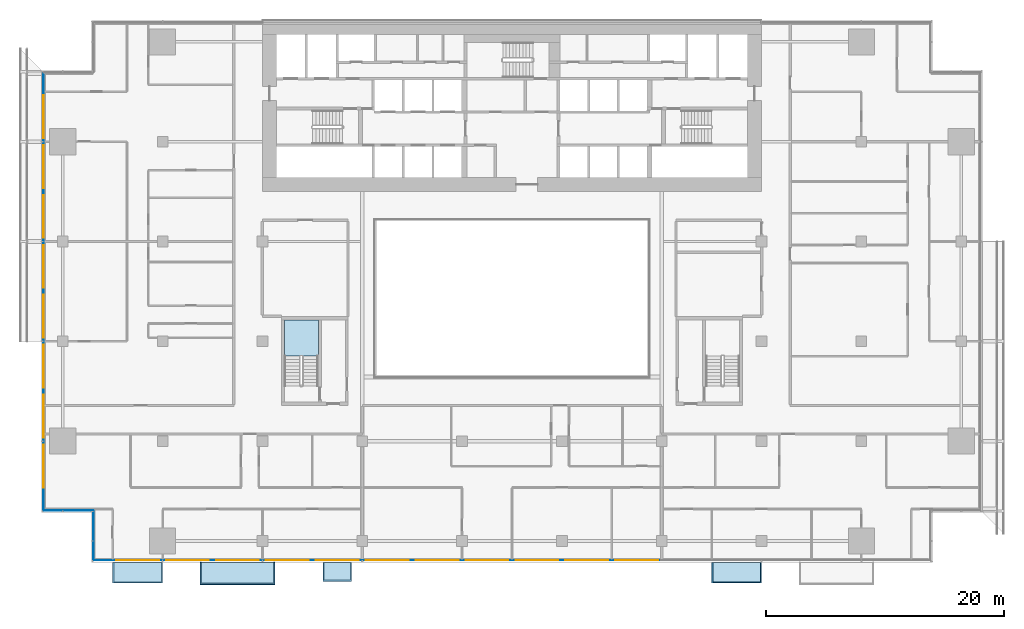
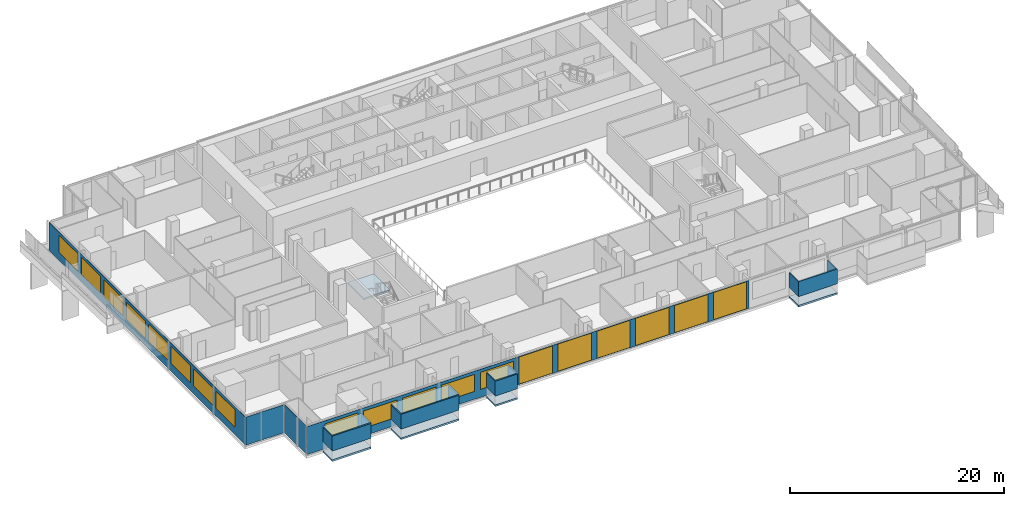
# One storey, part 15 of 28: 19 windows, 12 plates, 5 slabs, 19 openings, 5 elements without a shape of their own.
"""IFC4 building model written with IfcOpenShell, lengths in metres."""

import ifcopenshell
import ifcopenshell.guid

model = None  # the IFC model being written
_history = None  # IfcOwnerHistory: only IFC2X3 demands one
_inside = {}  # id of a spatial element -> (the spatial element, [elements in it])
_under = {}  # id of a project, library or spatial element -> (it, [spatial elements below it])
_declared = {}  # id of a project -> (the project, [libraries it declares])
_typed = {}  # id of a type object -> (the type object, [elements of that type])
_made_of = {}  # id of a material, layer set ... -> (it, [elements and type objects made of it])


def new_model(schema):
    """Start an empty IFC model of exactly this schema.

    Asked for "IFC4X3", IfcOpenShell would pick the latest addendum, in which some entities
    have other attributes; the version numbers below select the first issue.
    IFC2X3 requires an IfcOwnerHistory on every rooted entity: one is made here for all.
    """
    global model, _history
    if schema == "IFC4X3":
        model = ifcopenshell.file(schema_version=(4, 3, 0, 0))
    else:
        model = ifcopenshell.file(schema=schema)
    _inside.clear()
    _under.clear()
    _declared.clear()
    _typed.clear()
    _made_of.clear()
    _history = None
    if model.schema == "IFC2X3":
        org = make("IfcOrganization", Name="unknown")
        user = make(
            "IfcPersonAndOrganization",
            ThePerson=make("IfcPerson", FamilyName="unknown"),
            TheOrganization=org,
        )
        app = make(
            "IfcApplication",
            ApplicationDeveloper=org,
            Version="unknown",
            ApplicationFullName="unknown",
            ApplicationIdentifier="unknown",
        )
        _history = make(
            "IfcOwnerHistory",
            OwningUser=user,
            OwningApplication=app,
            ChangeAction="ADDED",
            CreationDate=0,
        )
    return model


def make(cls, **values):
    """One entity of the class cls with the attributes given. An attribute that is None is left unset."""
    return model.create_entity(
        cls, **{name: value for name, value in values.items() if value is not None}
    )


def rooted(cls, **values):
    """An entity with a GlobalId (a new one), such as an element, a storey or a relation."""
    return make(cls, GlobalId=ifcopenshell.guid.new(), OwnerHistory=_history, **values)


def si_unit(unit_type, name, prefix=None):
    """IfcSIUnit, for example si_unit("LENGTHUNIT", "METRE", prefix="MILLI")."""
    return make("IfcSIUnit", UnitType=unit_type, Prefix=prefix, Name=name)


def assignment(units):
    """IfcUnitAssignment: the units of a project."""
    return None if units is None else make("IfcUnitAssignment", Units=units)


def point(xyz):
    """IfcCartesianPoint."""
    return None if xyz is None else make("IfcCartesianPoint", Coordinates=xyz)


def direction(xyz):
    """IfcDirection."""
    return None if xyz is None else make("IfcDirection", DirectionRatios=xyz)


def frame(location, z_axis=None, x_axis=None):
    """IfcAxis2Placement3D, a coordinate frame: its origin and axes. An axis left out is left unset."""
    return make(
        "IfcAxis2Placement3D",
        Location=point(location),
        Axis=direction(z_axis),
        RefDirection=direction(x_axis),
    )


def frame_2d(location, x_axis=None):
    """IfcAxis2Placement2D, a coordinate frame in the plane: its origin and x axis."""
    return make(
        "IfcAxis2Placement2D", Location=point(location), RefDirection=direction(x_axis)
    )


def origin():
    """The frame at (0, 0, 0) with its axes left unset."""
    return frame((0.0, 0.0, 0.0))


def place(relative_to, where):
    """IfcLocalPlacement: puts the frame where relative to a parent placement (None: the world)."""
    return make(
        "IfcLocalPlacement", PlacementRelTo=relative_to, RelativePlacement=where
    )


def context(
    kind, dimensions, precision=None, world=None, true_north=None, identifier=None
):
    """IfcGeometricRepresentationContext, for example the 3D "Model" context."""
    return make(
        "IfcGeometricRepresentationContext",
        ContextIdentifier=identifier,
        ContextType=kind,
        CoordinateSpaceDimension=dimensions,
        Precision=precision,
        WorldCoordinateSystem=world,
        TrueNorth=true_north,
    )


def subcontext(parent, identifier, kind, view, scale=None):
    """IfcGeometricRepresentationSubContext, for example "Body" below "Model"."""
    return make(
        "IfcGeometricRepresentationSubContext",
        ContextIdentifier=identifier,
        ContextType=kind,
        ParentContext=parent,
        TargetScale=scale,
        TargetView=view,
    )


def project(units=None, contexts=None):
    """IfcProject with its units and contexts."""
    return rooted(
        "IfcProject",
        Name="project",
        RepresentationContexts=contexts,
        UnitsInContext=assignment(units),
    )


def spatial(cls, under=None, at=None, **own):
    """A site, building, storey or space (cls), placed at a placement, below another one or the project."""
    s = rooted(cls, ObjectPlacement=at, **own)
    if under is not None:
        _under.setdefault(under.id(), (under, []))[1].append(s)
    return s


def polyline(points):
    """IfcPolyline through the points."""
    return make("IfcPolyline", Points=[point(p) for p in points])


def profile(cls, at=None, kind="AREA", **sizes):
    """A parametric profile (cls). Its sizes go by their IFC names, for example OverallWidth=200.0."""
    return make(cls, ProfileType=kind, Position=at, **sizes)


def rectangle(**sizes):
    """IfcRectangleProfileDef."""
    return profile("IfcRectangleProfileDef", **sizes)


def outline(outer, holes=None, kind="AREA"):
    """IfcArbitraryClosedProfileDef: a profile drawn as a closed curve; with holes, ...WithVoids."""
    if holes is None:
        return make("IfcArbitraryClosedProfileDef", ProfileType=kind, OuterCurve=outer)
    return make(
        "IfcArbitraryProfileDefWithVoids",
        ProfileType=kind,
        OuterCurve=outer,
        InnerCurves=holes,
    )


def extrude(swept, where, along, depth):
    """IfcExtrudedAreaSolid: the profile swept, set in the frame where, extruded along a direction by depth."""
    return make(
        "IfcExtrudedAreaSolid",
        SweptArea=swept,
        Position=where,
        ExtrudedDirection=direction(along),
        Depth=depth,
    )


def shape(context_of_items, identifier, shape_type, items):
    """IfcShapeRepresentation: the items that make up one representation, for example the "Body"."""
    return make(
        "IfcShapeRepresentation",
        ContextOfItems=context_of_items,
        RepresentationIdentifier=identifier,
        RepresentationType=shape_type,
        Items=items,
    )


def material(Name=None, Category=None):
    """IfcMaterial."""
    return make("IfcMaterial", Name=Name, Category=Category)


def layer(
    of_material, thickness, ventilated=None, Name=None, Category=None, Priority=None
):
    """IfcMaterialLayer: one layer of a wall or slab, of a material (None: an air gap)."""
    return make(
        "IfcMaterialLayer",
        Material=of_material,
        LayerThickness=thickness,
        IsVentilated=ventilated,
        Name=Name,
        Category=Category,
        Priority=Priority,
    )


def layer_set(layers, Name=None):
    """IfcMaterialLayerSet."""
    return make("IfcMaterialLayerSet", MaterialLayers=layers, LayerSetName=Name)


def made_of(thing, what):
    """Note that an element or type object is made of a material, layer set ...; save() writes the relation."""
    if what is not None:
        _made_of.setdefault(what.id(), (what, []))[1].append(thing)
    return thing


def type_object(cls, material=None, **own):
    """A type object (cls), such as IfcWallType, which elements share."""
    return made_of(rooted(cls, **own), material)


def element(
    cls,
    number,
    at=None,
    inside=None,
    cuts=None,
    type_object=None,
    material=None,
    context=None,
    identifier="Body",
    shape_type=None,
    held_by="IfcProductDefinitionShape",
    body=None,
    shapes=None,
    **own,
):
    """One element of the class cls, such as IfcWall. Its Tag is "e" and its number.

    at: its placement. inside: the storey or other place that contains it. cuts: it is an
    opening in that element (IfcRelVoidsElement). A single representation is given by context,
    identifier, shape_type and body (its items); several are given by shapes. held_by: the class
    of the entity that holds the representations. save() writes the other relations.
    """
    e = rooted(cls, Tag="e%d" % number, ObjectPlacement=at, **own)
    if body is not None:
        shapes = [shape(context, identifier, shape_type, body)]
    if shapes is not None:
        e.Representation = make(held_by, Representations=shapes)
    if inside is not None:
        _inside.setdefault(inside.id(), (inside, []))[1].append(e)
    if cuts is not None:
        rooted(
            "IfcRelVoidsElement", RelatingBuildingElement=cuts, RelatedOpeningElement=e
        )
    if type_object is not None:
        _typed.setdefault(type_object.id(), (type_object, []))[1].append(e)
    return made_of(e, material)


def fill(opening, filler):
    """IfcRelFillsElement: the door or window that sits in an opening."""
    return rooted(
        "IfcRelFillsElement",
        RelatingOpeningElement=opening,
        RelatedBuildingElement=filler,
    )


def aggregate(whole, parts):
    """IfcRelAggregates: a whole, such as a stair, and the parts it consists of."""
    return rooted("IfcRelAggregates", RelatingObject=whole, RelatedObjects=parts)


def save(model, path):
    """Write the relations noted so far, then the file.

    IfcRelAggregates (storeys below a building ...), IfcRelContainedInSpatialStructure (elements
    in a storey), IfcRelDefinesByType, IfcRelAssociatesMaterial and IfcRelDeclares: one each for
    every whole, place, type object, material and project.
    """
    for whole, parts in _under.values():
        aggregate(whole, parts)
    for where, things in _inside.values():
        rooted(
            "IfcRelContainedInSpatialStructure",
            RelatedElements=things,
            RelatingStructure=where,
        )
    for kind, things in _typed.values():
        rooted("IfcRelDefinesByType", RelatedObjects=things, RelatingType=kind)
    for what, things in _made_of.values():
        rooted("IfcRelAssociatesMaterial", RelatedObjects=things, RelatingMaterial=what)
    for by, libraries in _declared.values():
        rooted("IfcRelDeclares", RelatingContext=by, RelatedDefinitions=libraries)
    model.write(path)


model = new_model("IFC4")

# Units and contexts
model_context = context("Model", 3, precision=1e-05, world=origin(), true_north=direction((0.0, 1.0)))
body_context = subcontext(model_context, "Body", "Model", "MODEL_VIEW")
ifc_project = project(units=[si_unit("LENGTHUNIT", "METRE"), si_unit("AREAUNIT", "SQUARE_METRE"), si_unit("VOLUMEUNIT", "CUBIC_METRE"), si_unit("PLANEANGLEUNIT", "RADIAN"), si_unit("MASSUNIT", "GRAM", prefix="KILO")], contexts=[model_context])

# Site, building, storey
site_placement = place(None, origin())
site = spatial("IfcSite", under=ifc_project, at=site_placement, CompositionType="ELEMENT")
building_placement = place(site_placement, origin())
building = spatial("IfcBuilding", under=site, at=building_placement, Name="Saffron Gate Tower", CompositionType="ELEMENT")
storey_placement = place(building_placement, frame((0.0, 0.0, 51.60009765625)))
storey = spatial("IfcBuildingStorey", under=building, at=storey_placement, Name="L11", CompositionType="ELEMENT", Elevation=51.60009765625)

# Curtain wall, plates, openings, windows
ifc_material_1 = material(Name="Aluminium, bronze anodised", Category="aluminium")
curtain_wall_type_1 = type_object("IfcCurtainWallType", Name="CWS1 curtain wall front facade", PredefinedType="NOTDEFINED", material=ifc_material_1)
curtain_wall_1_placement = place(storey_placement, origin())
curtain_wall_1 = element("IfcCurtainWall", 1, at=curtain_wall_1_placement, inside=storey, type_object=curtain_wall_type_1, Name="CWS1 run 1", PredefinedType="NOTDEFINED")
ifc_material_2 = material(Name="Clear low-iron laminated glass", Category="glass")
ifc_layer_1 = layer(ifc_material_2, 0.028076171875)
ifc_layer_set_1 = layer_set([ifc_layer_1], Name="CWS1 clear glass")
plate_type_1 = type_object("IfcPlateType", Name="CWS1 clear glass", PredefinedType="CURTAIN_PANEL", material=ifc_layer_set_1)
plate_1_placement = place(storey_placement, frame((75.030029296875, 30.174072265625, 0.0), z_axis=(0.0, 0.0, 1.0), x_axis=(1.0, 0.0, 0.0)))
plate_1 = element("IfcPlate", 2, at=plate_1_placement, type_object=plate_type_1, Name="CWS1 clear glass panel", PredefinedType="CURTAIN_PANEL", context=body_context, shape_type="SweptSolid", body=[
    extrude(rectangle(XDim=25.139892578125, YDim=0.028076171875, at=frame_2d((12.56982421875, 0.0))), origin(), (0.0, 0.0, 1.0), 3.199951171875),
])
opening_1_placement = place(plate_1_placement, frame((0.27001953125, 0.0, 0.050048828125)))
opening_1 = element("IfcOpeningElement", 3, at=opening_1_placement, cuts=plate_1, Name="Opening WA", PredefinedType="OPENING", context=body_context, shape_type="SweptSolid", body=[
    extrude(rectangle(XDim=3.60009765625, YDim=3.10009765625, at=frame_2d((1.800048828125, 1.550048828125))), frame((0.0, 0.02392578125, 0.0), z_axis=(0.0, -1.0, 0.0), x_axis=(1.0, 0.0, 0.0)), (0.0, 0.0, 1.0), 0.048095703125),
])
opening_2_placement = place(plate_1_placement, frame((4.469970703125, 0.0, 0.050048828125)))
opening_2 = element("IfcOpeningElement", 4, at=opening_2_placement, cuts=plate_1, Name="Opening WA", PredefinedType="OPENING", context=body_context, shape_type="SweptSolid", body=[
    extrude(rectangle(XDim=3.60009765625, YDim=3.10009765625, at=frame_2d((1.800048828125, 1.550048828125))), frame((0.0, 0.02392578125, 0.0), z_axis=(0.0, -1.0, 0.0), x_axis=(1.0, 0.0, 0.0)), (0.0, 0.0, 1.0), 0.048095703125),
])
opening_3_placement = place(plate_1_placement, frame((8.669921875, 0.0, 0.050048828125)))
opening_3 = element("IfcOpeningElement", 5, at=opening_3_placement, cuts=plate_1, Name="Opening WA", PredefinedType="OPENING", context=body_context, shape_type="SweptSolid", body=[
    extrude(rectangle(XDim=3.60009765625, YDim=3.10009765625, at=frame_2d((1.800048828125, 1.550048828125))), frame((0.0, 0.02392578125, 0.0), z_axis=(0.0, -1.0, 0.0), x_axis=(1.0, 0.0, 0.0)), (0.0, 0.0, 1.0), 0.048095703125),
])
opening_4_placement = place(plate_1_placement, frame((12.8701171875, 0.0, 0.050048828125)))
opening_4 = element("IfcOpeningElement", 6, at=opening_4_placement, cuts=plate_1, Name="Opening WA", PredefinedType="OPENING", context=body_context, shape_type="SweptSolid", body=[
    extrude(rectangle(XDim=3.60009765625, YDim=3.10009765625, at=frame_2d((1.800048828125, 1.550048828125))), frame((0.0, 0.02392578125, 0.0), z_axis=(0.0, -1.0, 0.0), x_axis=(1.0, 0.0, 0.0)), (0.0, 0.0, 1.0), 0.048095703125),
])
opening_5_placement = place(plate_1_placement, frame((17.070068359375, 0.0, 0.050048828125)))
opening_5 = element("IfcOpeningElement", 7, at=opening_5_placement, cuts=plate_1, Name="Opening WA", PredefinedType="OPENING", context=body_context, shape_type="SweptSolid", body=[
    extrude(rectangle(XDim=3.60009765625, YDim=3.10009765625, at=frame_2d((1.800048828125, 1.550048828125))), frame((0.0, 0.02392578125, 0.0), z_axis=(0.0, -1.0, 0.0), x_axis=(1.0, 0.0, 0.0)), (0.0, 0.0, 1.0), 0.048095703125),
])
opening_6_placement = place(plate_1_placement, frame((21.27001953125, 0.0, 0.050048828125)))
opening_6 = element("IfcOpeningElement", 8, at=opening_6_placement, cuts=plate_1, Name="Opening WA", PredefinedType="OPENING", context=body_context, shape_type="SweptSolid", body=[
    extrude(rectangle(XDim=3.60009765625, YDim=3.10009765625, at=frame_2d((1.800048828125, 1.550048828125))), frame((0.0, 0.02392578125, 0.0), z_axis=(0.0, -1.0, 0.0), x_axis=(1.0, 0.0, 0.0)), (0.0, 0.0, 1.0), 0.048095703125),
])
ifc_material_3 = material(Name="Clear low-iron laminated glass in bronze frame", Category="glass")
ifc_layer_2 = layer(ifc_material_3, 0.06005859375)
ifc_layer_set_2 = layer_set([ifc_layer_2], Name="WA operable atrium unit 3600x3100")
window_type_1 = type_object("IfcWindowType", Name="WA operable atrium unit 3600x3100", PartitioningType="DOUBLE_PANEL_HORIZONTAL", PredefinedType="WINDOW", material=ifc_layer_set_2)
window_1_placement = place(opening_1_placement, origin())
window_1 = element("IfcWindow", 9, at=window_1_placement, type_object=window_type_1, Name="WA operable atrium unit", OverallHeight=3.10009765625, OverallWidth=3.60009765625, PartitioningType="SINGLE_PANEL", PredefinedType="WINDOW", context=body_context, shape_type="SweptSolid", body=[
    extrude(rectangle(XDim=3.60009765625, YDim=3.10009765625, at=frame_2d((1.800048828125, 1.550048828125))), frame((0.0, 0.013671875, 0.0), z_axis=(0.0, -1.0, 0.0), x_axis=(1.0, 0.0, 0.0)), (0.0, 0.0, 1.0), 0.027587890625),
])
fill(opening_1, window_1)
window_2_placement = place(opening_2_placement, origin())
window_2 = element("IfcWindow", 10, at=window_2_placement, type_object=window_type_1, Name="WA operable atrium unit", OverallHeight=3.10009765625, OverallWidth=3.60009765625, PartitioningType="SINGLE_PANEL", PredefinedType="WINDOW", context=body_context, shape_type="SweptSolid", body=[
    extrude(rectangle(XDim=3.60009765625, YDim=3.10009765625, at=frame_2d((1.800048828125, 1.550048828125))), frame((0.0, 0.013671875, 0.0), z_axis=(0.0, -1.0, 0.0), x_axis=(1.0, 0.0, 0.0)), (0.0, 0.0, 1.0), 0.027587890625),
])
fill(opening_2, window_2)
window_3_placement = place(opening_3_placement, origin())
window_3 = element("IfcWindow", 11, at=window_3_placement, type_object=window_type_1, Name="WA operable atrium unit", OverallHeight=3.10009765625, OverallWidth=3.60009765625, PartitioningType="SINGLE_PANEL", PredefinedType="WINDOW", context=body_context, shape_type="SweptSolid", body=[
    extrude(rectangle(XDim=3.60009765625, YDim=3.10009765625, at=frame_2d((1.800048828125, 1.550048828125))), frame((0.0, 0.013671875, 0.0), z_axis=(0.0, -1.0, 0.0), x_axis=(1.0, 0.0, 0.0)), (0.0, 0.0, 1.0), 0.027587890625),
])
fill(opening_3, window_3)
window_4_placement = place(opening_4_placement, origin())
window_4 = element("IfcWindow", 12, at=window_4_placement, type_object=window_type_1, Name="WA operable atrium unit", OverallHeight=3.10009765625, OverallWidth=3.60009765625, PartitioningType="SINGLE_PANEL", PredefinedType="WINDOW", context=body_context, shape_type="SweptSolid", body=[
    extrude(rectangle(XDim=3.60009765625, YDim=3.10009765625, at=frame_2d((1.800048828125, 1.550048828125))), frame((0.0, 0.013671875, 0.0), z_axis=(0.0, -1.0, 0.0), x_axis=(1.0, 0.0, 0.0)), (0.0, 0.0, 1.0), 0.027587890625),
])
fill(opening_4, window_4)
window_5_placement = place(opening_5_placement, origin())
window_5 = element("IfcWindow", 13, at=window_5_placement, type_object=window_type_1, Name="WA operable atrium unit", OverallHeight=3.10009765625, OverallWidth=3.60009765625, PartitioningType="SINGLE_PANEL", PredefinedType="WINDOW", context=body_context, shape_type="SweptSolid", body=[
    extrude(rectangle(XDim=3.60009765625, YDim=3.10009765625, at=frame_2d((1.800048828125, 1.550048828125))), frame((0.0, 0.013671875, 0.0), z_axis=(0.0, -1.0, 0.0), x_axis=(1.0, 0.0, 0.0)), (0.0, 0.0, 1.0), 0.027587890625),
])
fill(opening_5, window_5)
window_6_placement = place(opening_6_placement, origin())
window_6 = element("IfcWindow", 14, at=window_6_placement, type_object=window_type_1, Name="WA operable atrium unit", OverallHeight=3.10009765625, OverallWidth=3.60009765625, PartitioningType="SINGLE_PANEL", PredefinedType="WINDOW", context=body_context, shape_type="SweptSolid", body=[
    extrude(rectangle(XDim=3.60009765625, YDim=3.10009765625, at=frame_2d((1.800048828125, 1.550048828125))), frame((0.0, 0.013671875, 0.0), z_axis=(0.0, -1.0, 0.0), x_axis=(1.0, 0.0, 0.0)), (0.0, 0.0, 1.0), 0.027587890625),
])
fill(opening_6, window_6)
ifc_material_4 = material(Name="Fritted bronze-tinted laminated glass", Category="glass")
ifc_layer_3 = layer(ifc_material_4, 0.028076171875)
ifc_layer_set_3 = layer_set([ifc_layer_3], Name="CWS1 fixed glass")
plate_type_2 = type_object("IfcPlateType", Name="CWS1 fixed glass", PredefinedType="CURTAIN_PANEL", material=ifc_layer_set_3)
plate_2_placement = place(storey_placement, frame((52.387939453125, 30.174072265625, 0.0), z_axis=(0.0, 0.0, 1.0), x_axis=(1.0, 0.0, 0.0)))
plate_2 = element("IfcPlate", 15, at=plate_2_placement, type_object=plate_type_2, Name="CWS1 glass panel", PredefinedType="CURTAIN_PANEL", context=body_context, shape_type="SweptSolid", body=[
    extrude(rectangle(XDim=22.64208984375, YDim=0.028076171875, at=frame_2d((11.321044921875, 0.0))), origin(), (0.0, 0.0, 1.0), 3.199951171875),
])
opening_7_placement = place(plate_2_placement, frame((1.912109375, 0.0, 0.89990234375)))
opening_7 = element("IfcOpeningElement", 16, at=opening_7_placement, cuts=plate_2, Name="Opening W1", PredefinedType="OPENING", context=body_context, shape_type="SweptSolid", body=[
    extrude(rectangle(XDim=3.60009765625, YDim=1.949951171875, at=frame_2d((1.800048828125, 0.97509765625))), frame((0.0, 0.02392578125, 0.0), z_axis=(0.0, -1.0, 0.0), x_axis=(1.0, 0.0, 0.0)), (0.0, 0.0, 1.0), 0.048095703125),
])
opening_8_placement = place(plate_2_placement, frame((6.112060546875, 0.0, 0.89990234375)))
opening_8 = element("IfcOpeningElement", 17, at=opening_8_placement, cuts=plate_2, Name="Opening W1", PredefinedType="OPENING", context=body_context, shape_type="SweptSolid", body=[
    extrude(rectangle(XDim=3.60009765625, YDim=1.949951171875, at=frame_2d((1.800048828125, 0.97509765625))), frame((0.0, 0.02392578125, 0.0), z_axis=(0.0, -1.0, 0.0), x_axis=(1.0, 0.0, 0.0)), (0.0, 0.0, 1.0), 0.048095703125),
])
opening_9_placement = place(plate_2_placement, frame((10.31201171875, 0.0, 0.89990234375)))
opening_9 = element("IfcOpeningElement", 18, at=opening_9_placement, cuts=plate_2, Name="Opening W1", PredefinedType="OPENING", context=body_context, shape_type="SweptSolid", body=[
    extrude(rectangle(XDim=3.60009765625, YDim=1.949951171875, at=frame_2d((1.800048828125, 0.97509765625))), frame((0.0, 0.02392578125, 0.0), z_axis=(0.0, -1.0, 0.0), x_axis=(1.0, 0.0, 0.0)), (0.0, 0.0, 1.0), 0.048095703125),
])
opening_10_placement = place(plate_2_placement, frame((14.511962890625, 0.0, 0.89990234375)))
opening_10 = element("IfcOpeningElement", 19, at=opening_10_placement, cuts=plate_2, Name="Opening W1", PredefinedType="OPENING", context=body_context, shape_type="SweptSolid", body=[
    extrude(rectangle(XDim=3.60009765625, YDim=1.949951171875, at=frame_2d((1.800048828125, 0.97509765625))), frame((0.0, 0.02392578125, 0.0), z_axis=(0.0, -1.0, 0.0), x_axis=(1.0, 0.0, 0.0)), (0.0, 0.0, 1.0), 0.048095703125),
])
opening_11_placement = place(plate_2_placement, frame((18.7119140625, 0.0, 0.89990234375)))
opening_11 = element("IfcOpeningElement", 20, at=opening_11_placement, cuts=plate_2, Name="Opening W1", PredefinedType="OPENING", context=body_context, shape_type="SweptSolid", body=[
    extrude(rectangle(XDim=3.60009765625, YDim=1.949951171875, at=frame_2d((1.800048828125, 0.97509765625))), frame((0.0, 0.02392578125, 0.0), z_axis=(0.0, -1.0, 0.0), x_axis=(1.0, 0.0, 0.0)), (0.0, 0.0, 1.0), 0.048095703125),
])
ifc_material_5 = material(Name="Fritted bronze-tinted laminated glass in bronze frame", Category="glass")
ifc_layer_4 = layer(ifc_material_5, 0.06005859375)
ifc_layer_set_4 = layer_set([ifc_layer_4], Name="W1 operable panel 3600x1950")
window_type_2 = type_object("IfcWindowType", Name="W1 operable panel 3600x1950", PartitioningType="DOUBLE_PANEL_HORIZONTAL", PredefinedType="WINDOW", material=ifc_layer_set_4)
window_7_placement = place(opening_7_placement, origin())
window_7 = element("IfcWindow", 21, at=window_7_placement, type_object=window_type_2, Name="W1 operable panel", OverallHeight=1.949951171875, OverallWidth=3.60009765625, PartitioningType="SINGLE_PANEL", PredefinedType="WINDOW", context=body_context, shape_type="SweptSolid", body=[
    extrude(rectangle(XDim=3.60009765625, YDim=1.949951171875, at=frame_2d((1.800048828125, 0.97509765625))), frame((0.0, 0.013671875, 0.0), z_axis=(0.0, -1.0, 0.0), x_axis=(1.0, 0.0, 0.0)), (0.0, 0.0, 1.0), 0.027587890625),
])
fill(opening_7, window_7)
window_8_placement = place(opening_8_placement, origin())
window_8 = element("IfcWindow", 22, at=window_8_placement, type_object=window_type_2, Name="W1 operable panel", OverallHeight=1.949951171875, OverallWidth=3.60009765625, PartitioningType="SINGLE_PANEL", PredefinedType="WINDOW", context=body_context, shape_type="SweptSolid", body=[
    extrude(rectangle(XDim=3.60009765625, YDim=1.949951171875, at=frame_2d((1.800048828125, 0.97509765625))), frame((0.0, 0.013671875, 0.0), z_axis=(0.0, -1.0, 0.0), x_axis=(1.0, 0.0, 0.0)), (0.0, 0.0, 1.0), 0.027587890625),
])
fill(opening_8, window_8)
window_9_placement = place(opening_9_placement, origin())
window_9 = element("IfcWindow", 23, at=window_9_placement, type_object=window_type_2, Name="W1 operable panel", OverallHeight=1.949951171875, OverallWidth=3.60009765625, PartitioningType="SINGLE_PANEL", PredefinedType="WINDOW", context=body_context, shape_type="SweptSolid", body=[
    extrude(rectangle(XDim=3.60009765625, YDim=1.949951171875, at=frame_2d((1.800048828125, 0.97509765625))), frame((0.0, 0.013671875, 0.0), z_axis=(0.0, -1.0, 0.0), x_axis=(1.0, 0.0, 0.0)), (0.0, 0.0, 1.0), 0.027587890625),
])
fill(opening_9, window_9)
window_10_placement = place(opening_10_placement, origin())
window_10 = element("IfcWindow", 24, at=window_10_placement, type_object=window_type_2, Name="W1 operable panel", OverallHeight=1.949951171875, OverallWidth=3.60009765625, PartitioningType="SINGLE_PANEL", PredefinedType="WINDOW", context=body_context, shape_type="SweptSolid", body=[
    extrude(rectangle(XDim=3.60009765625, YDim=1.949951171875, at=frame_2d((1.800048828125, 0.97509765625))), frame((0.0, 0.013671875, 0.0), z_axis=(0.0, -1.0, 0.0), x_axis=(1.0, 0.0, 0.0)), (0.0, 0.0, 1.0), 0.027587890625),
])
fill(opening_10, window_10)
window_11_placement = place(opening_11_placement, origin())
window_11 = element("IfcWindow", 25, at=window_11_placement, type_object=window_type_2, Name="W1 operable panel", OverallHeight=1.949951171875, OverallWidth=3.60009765625, PartitioningType="SINGLE_PANEL", PredefinedType="WINDOW", context=body_context, shape_type="SweptSolid", body=[
    extrude(rectangle(XDim=3.60009765625, YDim=1.949951171875, at=frame_2d((1.800048828125, 0.97509765625))), frame((0.0, 0.013671875, 0.0), z_axis=(0.0, -1.0, 0.0), x_axis=(1.0, 0.0, 0.0)), (0.0, 0.0, 1.0), 0.027587890625),
])
fill(opening_11, window_11)
aggregate(curtain_wall_1, [plate_2, plate_1, window_7, window_8, window_9, window_10, window_11, window_1, window_2, window_3, window_4, window_5, window_6])

# Curtain wall, plate, openings, windows
curtain_wall_type_2 = type_object("IfcCurtainWallType", Name="CWS2 curtain wall side facades", PredefinedType="NOTDEFINED", material=ifc_material_1)
curtain_wall_2_placement = place(storey_placement, origin())
curtain_wall_2 = element("IfcCurtainWall", 26, at=curtain_wall_2_placement, inside=storey, type_object=curtain_wall_type_2, Name="CWS2 run 10", PredefinedType="NOTDEFINED")
ifc_layer_5 = layer(ifc_material_4, 0.028076171875)
ifc_layer_set_5 = layer_set([ifc_layer_5], Name="CWS2 fixed glass")
plate_type_3 = type_object("IfcPlateType", Name="CWS2 fixed glass", PredefinedType="CURTAIN_PANEL", material=ifc_layer_set_5)
plate_3_placement = place(storey_placement, frame((48.174072265625, 71.2119140625, 0.0), z_axis=(0.0, 0.0, 1.0), x_axis=(0.0, -1.0, 0.0)))
plate_3 = element("IfcPlate", 27, at=plate_3_placement, type_object=plate_type_3, Name="CWS2 glass panel", PredefinedType="CURTAIN_PANEL", context=body_context, shape_type="SweptSolid", body=[
    extrude(rectangle(XDim=36.823974609375, YDim=0.028076171875, at=frame_2d((18.412109375, 0.0))), origin(), (0.0, 0.0, 1.0), 3.199951171875),
])
opening_12_placement = place(plate_3_placement, frame((1.912109375, 0.0, 0.89990234375)))
opening_12 = element("IfcOpeningElement", 28, at=opening_12_placement, cuts=plate_3, Name="Opening W1", PredefinedType="OPENING", context=body_context, shape_type="SweptSolid", body=[
    extrude(rectangle(XDim=3.60009765625, YDim=1.949951171875, at=frame_2d((1.800048828125, 0.97509765625))), frame((0.0, 0.02392578125, 0.0), z_axis=(0.0, -1.0, 0.0), x_axis=(1.0, 0.0, 0.0)), (0.0, 0.0, 1.0), 0.048095703125),
])
opening_13_placement = place(plate_3_placement, frame((6.112060546875, 0.0, 0.89990234375)))
opening_13 = element("IfcOpeningElement", 29, at=opening_13_placement, cuts=plate_3, Name="Opening W1", PredefinedType="OPENING", context=body_context, shape_type="SweptSolid", body=[
    extrude(rectangle(XDim=3.60009765625, YDim=1.949951171875, at=frame_2d((1.800048828125, 0.97509765625))), frame((0.0, 0.02392578125, 0.0), z_axis=(0.0, -1.0, 0.0), x_axis=(1.0, 0.0, 0.0)), (0.0, 0.0, 1.0), 0.048095703125),
])
opening_14_placement = place(plate_3_placement, frame((10.31201171875, 0.0, 0.89990234375)))
opening_14 = element("IfcOpeningElement", 30, at=opening_14_placement, cuts=plate_3, Name="Opening W1", PredefinedType="OPENING", context=body_context, shape_type="SweptSolid", body=[
    extrude(rectangle(XDim=3.60009765625, YDim=1.949951171875, at=frame_2d((1.800048828125, 0.97509765625))), frame((0.0, 0.02392578125, 0.0), z_axis=(0.0, -1.0, 0.0), x_axis=(1.0, 0.0, 0.0)), (0.0, 0.0, 1.0), 0.048095703125),
])
opening_15_placement = place(plate_3_placement, frame((14.511962890625, 0.0, 0.89990234375)))
opening_15 = element("IfcOpeningElement", 31, at=opening_15_placement, cuts=plate_3, Name="Opening W1", PredefinedType="OPENING", context=body_context, shape_type="SweptSolid", body=[
    extrude(rectangle(XDim=3.60009765625, YDim=1.949951171875, at=frame_2d((1.800048828125, 0.97509765625))), frame((0.0, 0.02392578125, 0.0), z_axis=(0.0, -1.0, 0.0), x_axis=(1.0, 0.0, 0.0)), (0.0, 0.0, 1.0), 0.048095703125),
])
opening_16_placement = place(plate_3_placement, frame((18.7119140625, 0.0, 0.89990234375)))
opening_16 = element("IfcOpeningElement", 32, at=opening_16_placement, cuts=plate_3, Name="Opening W1", PredefinedType="OPENING", context=body_context, shape_type="SweptSolid", body=[
    extrude(rectangle(XDim=3.60009765625, YDim=1.949951171875, at=frame_2d((1.800048828125, 0.97509765625))), frame((0.0, 0.02392578125, 0.0), z_axis=(0.0, -1.0, 0.0), x_axis=(1.0, 0.0, 0.0)), (0.0, 0.0, 1.0), 0.048095703125),
])
opening_17_placement = place(plate_3_placement, frame((22.912109375, 0.0, 0.89990234375)))
opening_17 = element("IfcOpeningElement", 33, at=opening_17_placement, cuts=plate_3, Name="Opening W1", PredefinedType="OPENING", context=body_context, shape_type="SweptSolid", body=[
    extrude(rectangle(XDim=3.60009765625, YDim=1.949951171875, at=frame_2d((1.800048828125, 0.97509765625))), frame((0.0, 0.02392578125, 0.0), z_axis=(0.0, -1.0, 0.0), x_axis=(1.0, 0.0, 0.0)), (0.0, 0.0, 1.0), 0.048095703125),
])
opening_18_placement = place(plate_3_placement, frame((27.112060546875, 0.0, 0.89990234375)))
opening_18 = element("IfcOpeningElement", 34, at=opening_18_placement, cuts=plate_3, Name="Opening W1", PredefinedType="OPENING", context=body_context, shape_type="SweptSolid", body=[
    extrude(rectangle(XDim=3.60009765625, YDim=1.949951171875, at=frame_2d((1.800048828125, 0.97509765625))), frame((0.0, 0.02392578125, 0.0), z_axis=(0.0, -1.0, 0.0), x_axis=(1.0, 0.0, 0.0)), (0.0, 0.0, 1.0), 0.048095703125),
])
opening_19_placement = place(plate_3_placement, frame((31.31201171875, 0.0, 0.89990234375)))
opening_19 = element("IfcOpeningElement", 35, at=opening_19_placement, cuts=plate_3, Name="Opening W1", PredefinedType="OPENING", context=body_context, shape_type="SweptSolid", body=[
    extrude(rectangle(XDim=3.60009765625, YDim=1.949951171875, at=frame_2d((1.800048828125, 0.97509765625))), frame((0.0, 0.02392578125, 0.0), z_axis=(0.0, -1.0, 0.0), x_axis=(1.0, 0.0, 0.0)), (0.0, 0.0, 1.0), 0.048095703125),
])
window_12_placement = place(opening_12_placement, origin())
window_12 = element("IfcWindow", 36, at=window_12_placement, type_object=window_type_2, Name="W1 operable panel", OverallHeight=1.949951171875, OverallWidth=3.60009765625, PartitioningType="SINGLE_PANEL", PredefinedType="WINDOW", context=body_context, shape_type="SweptSolid", body=[
    extrude(rectangle(XDim=3.60009765625, YDim=1.949951171875, at=frame_2d((1.800048828125, 0.97509765625))), frame((0.0, 0.013671875, 0.0), z_axis=(0.0, -1.0, 0.0), x_axis=(1.0, 0.0, 0.0)), (0.0, 0.0, 1.0), 0.027587890625),
])
fill(opening_12, window_12)
window_13_placement = place(opening_13_placement, origin())
window_13 = element("IfcWindow", 37, at=window_13_placement, type_object=window_type_2, Name="W1 operable panel", OverallHeight=1.949951171875, OverallWidth=3.60009765625, PartitioningType="SINGLE_PANEL", PredefinedType="WINDOW", context=body_context, shape_type="SweptSolid", body=[
    extrude(rectangle(XDim=3.60009765625, YDim=1.949951171875, at=frame_2d((1.800048828125, 0.97509765625))), frame((0.0, 0.013671875, 0.0), z_axis=(0.0, -1.0, 0.0), x_axis=(1.0, 0.0, 0.0)), (0.0, 0.0, 1.0), 0.027587890625),
])
fill(opening_13, window_13)
window_14_placement = place(opening_14_placement, origin())
window_14 = element("IfcWindow", 38, at=window_14_placement, type_object=window_type_2, Name="W1 operable panel", OverallHeight=1.949951171875, OverallWidth=3.60009765625, PartitioningType="SINGLE_PANEL", PredefinedType="WINDOW", context=body_context, shape_type="SweptSolid", body=[
    extrude(rectangle(XDim=3.60009765625, YDim=1.949951171875, at=frame_2d((1.800048828125, 0.97509765625))), frame((0.0, 0.013671875, 0.0), z_axis=(0.0, -1.0, 0.0), x_axis=(1.0, 0.0, 0.0)), (0.0, 0.0, 1.0), 0.027587890625),
])
fill(opening_14, window_14)
window_15_placement = place(opening_15_placement, origin())
window_15 = element("IfcWindow", 39, at=window_15_placement, type_object=window_type_2, Name="W1 operable panel", OverallHeight=1.949951171875, OverallWidth=3.60009765625, PartitioningType="SINGLE_PANEL", PredefinedType="WINDOW", context=body_context, shape_type="SweptSolid", body=[
    extrude(rectangle(XDim=3.60009765625, YDim=1.949951171875, at=frame_2d((1.800048828125, 0.97509765625))), frame((0.0, 0.013671875, 0.0), z_axis=(0.0, -1.0, 0.0), x_axis=(1.0, 0.0, 0.0)), (0.0, 0.0, 1.0), 0.027587890625),
])
fill(opening_15, window_15)
window_16_placement = place(opening_16_placement, origin())
window_16 = element("IfcWindow", 40, at=window_16_placement, type_object=window_type_2, Name="W1 operable panel", OverallHeight=1.949951171875, OverallWidth=3.60009765625, PartitioningType="SINGLE_PANEL", PredefinedType="WINDOW", context=body_context, shape_type="SweptSolid", body=[
    extrude(rectangle(XDim=3.60009765625, YDim=1.949951171875, at=frame_2d((1.800048828125, 0.97509765625))), frame((0.0, 0.013671875, 0.0), z_axis=(0.0, -1.0, 0.0), x_axis=(1.0, 0.0, 0.0)), (0.0, 0.0, 1.0), 0.027587890625),
])
fill(opening_16, window_16)
window_17_placement = place(opening_17_placement, origin())
window_17 = element("IfcWindow", 41, at=window_17_placement, type_object=window_type_2, Name="W1 operable panel", OverallHeight=1.949951171875, OverallWidth=3.60009765625, PartitioningType="SINGLE_PANEL", PredefinedType="WINDOW", context=body_context, shape_type="SweptSolid", body=[
    extrude(rectangle(XDim=3.60009765625, YDim=1.949951171875, at=frame_2d((1.800048828125, 0.97509765625))), frame((0.0, 0.013671875, 0.0), z_axis=(0.0, -1.0, 0.0), x_axis=(1.0, 0.0, 0.0)), (0.0, 0.0, 1.0), 0.027587890625),
])
fill(opening_17, window_17)
window_18_placement = place(opening_18_placement, origin())
window_18 = element("IfcWindow", 42, at=window_18_placement, type_object=window_type_2, Name="W1 operable panel", OverallHeight=1.949951171875, OverallWidth=3.60009765625, PartitioningType="SINGLE_PANEL", PredefinedType="WINDOW", context=body_context, shape_type="SweptSolid", body=[
    extrude(rectangle(XDim=3.60009765625, YDim=1.949951171875, at=frame_2d((1.800048828125, 0.97509765625))), frame((0.0, 0.013671875, 0.0), z_axis=(0.0, -1.0, 0.0), x_axis=(1.0, 0.0, 0.0)), (0.0, 0.0, 1.0), 0.027587890625),
])
fill(opening_18, window_18)
window_19_placement = place(opening_19_placement, origin())
window_19 = element("IfcWindow", 43, at=window_19_placement, type_object=window_type_2, Name="W1 operable panel", OverallHeight=1.949951171875, OverallWidth=3.60009765625, PartitioningType="SINGLE_PANEL", PredefinedType="WINDOW", context=body_context, shape_type="SweptSolid", body=[
    extrude(rectangle(XDim=3.60009765625, YDim=1.949951171875, at=frame_2d((1.800048828125, 0.97509765625))), frame((0.0, 0.013671875, 0.0), z_axis=(0.0, -1.0, 0.0), x_axis=(1.0, 0.0, 0.0)), (0.0, 0.0, 1.0), 0.027587890625),
])
fill(opening_19, window_19)
aggregate(curtain_wall_2, [plate_3, window_12, window_13, window_14, window_15, window_16, window_17, window_18, window_19])

# Curtain wall, plate
curtain_wall_type_3 = type_object("IfcCurtainWallType", Name="CWS4 curtain wall corner returns", PredefinedType="NOTDEFINED", material=ifc_material_1)
curtain_wall_3_placement = place(storey_placement, origin())
curtain_wall_3 = element("IfcCurtainWall", 44, at=curtain_wall_3_placement, inside=storey, type_object=curtain_wall_type_3, Name="CWS4 run 11", PredefinedType="NOTDEFINED")
ifc_layer_6 = layer(ifc_material_4, 0.028076171875)
ifc_layer_set_6 = layer_set([ifc_layer_6], Name="CWS4 fixed glass")
plate_type_4 = type_object("IfcPlateType", Name="CWS4 fixed glass", PredefinedType="CURTAIN_PANEL", material=ifc_layer_set_6)
plate_4_placement = place(storey_placement, frame((48.18798828125, 34.3740234375, 0.0), z_axis=(0.0, 0.0, 1.0), x_axis=(1.0, 0.0, 0.0)))
plate_4 = element("IfcPlate", 45, at=plate_4_placement, type_object=plate_type_4, Name="CWS4 glass panel", PredefinedType="CURTAIN_PANEL", context=body_context, shape_type="SweptSolid", body=[
    extrude(rectangle(XDim=4.172119140625, YDim=0.028076171875, at=frame_2d((2.0859375, 0.0))), origin(), (0.0, 0.0, 1.0), 3.199951171875),
])
aggregate(curtain_wall_3, [plate_4])

curtain_wall_4_placement = place(storey_placement, origin())
curtain_wall_4 = element("IfcCurtainWall", 46, at=curtain_wall_4_placement, inside=storey, type_object=curtain_wall_type_3, Name="CWS4 run 12", PredefinedType="NOTDEFINED")
plate_5_placement = place(storey_placement, frame((52.3740234375, 34.360107421875, 0.0), z_axis=(0.0, 0.0, 1.0), x_axis=(0.0, -1.0, 0.0)))
plate_5 = element("IfcPlate", 47, at=plate_5_placement, type_object=plate_type_4, Name="CWS4 glass panel", PredefinedType="CURTAIN_PANEL", context=body_context, shape_type="SweptSolid", body=[
    extrude(rectangle(XDim=4.172119140625, YDim=0.028076171875, at=frame_2d((2.0859375, 0.0))), origin(), (0.0, 0.0, 1.0), 3.199951171875),
])
aggregate(curtain_wall_4, [plate_5])

# Stair, slab
ifc_material_6 = material(Name="Concrete C40", Category="concrete")
stair_type = type_object("IfcStairType", Name="ST7 Stair 1350 wide, 20 risers of 180", PredefinedType="HALF_TURN_STAIR", material=ifc_material_6)
stair_placement = place(storey_placement, origin())
stair = element("IfcStair", 48, at=stair_placement, inside=storey, type_object=stair_type, Name="L11 Exit stair D", PredefinedType="HALF_TURN_STAIR")
ifc_layer_7 = layer(ifc_material_6, 0.199951171875)
ifc_layer_set_7 = layer_set([ifc_layer_7], Name="SL1 Stair landing 200")
slab_type_1 = type_object("IfcSlabType", Name="SL1 Stair landing 200", PredefinedType="LANDING", material=ifc_layer_set_7)
slab_1_placement = place(storey_placement, frame((0.0, 0.0, 1.599853515625)))
slab_1 = element("IfcSlab", 49, at=slab_1_placement, type_object=slab_type_1, Name="ST-D landing 1", PredefinedType="LANDING", context=body_context, shape_type="SweptSolid", body=[
    extrude(outline(polyline([(71.300048828125, 47.3701171875), (71.300048828125, 50.39990234375), (68.449951171875, 50.39990234375), (68.449951171875, 47.3701171875), (71.300048828125, 47.3701171875)])), origin(), (0.0, 0.0, 1.0), 0.199951171875),
])
aggregate(stair, [slab_1])

# Slabs
ifc_material_7 = material(Name="Timber deck on bronze frame", Category="wood")
ifc_layer_8 = layer(ifc_material_7, 0.199951171875)
ifc_layer_set_8 = layer_set([ifc_layer_8], Name="WB1 box floor")
slab_type_2 = type_object("IfcSlabType", Name="WB1 box floor", PredefinedType="FLOOR", material=ifc_layer_set_8)
slab_2_placement = place(storey_placement, frame((0.0, 0.0, -0.2001953125)))
element("IfcSlab", 50, at=slab_2_placement, inside=storey, type_object=slab_type_2, Name="WINDOW BOX floor", PredefinedType="FLOOR", context=body_context, shape_type="SweptSolid", body=[
    extrude(outline(polyline([(54.0, 30.0), (58.199951171875, 30.0), (58.199951171875, 28.26708984375), (54.0, 28.26708984375), (54.0, 30.0)])), origin(), (0.0, 0.0, 1.0), 0.2001953125),
])
slab_3_placement = place(storey_placement, frame((0.0, 0.0, -0.2001953125)))
element("IfcSlab", 51, at=slab_3_placement, inside=storey, type_object=slab_type_2, Name="WINDOW BOX floor", PredefinedType="FLOOR", context=body_context, shape_type="SweptSolid", body=[
    extrude(outline(polyline([(61.35009765625, 30.0), (67.64990234375, 30.0), (67.64990234375, 28.133056640625), (61.35009765625, 28.133056640625), (61.35009765625, 30.0)])), origin(), (0.0, 0.0, 1.0), 0.2001953125),
])
slab_4_placement = place(storey_placement, frame((0.0, 0.0, -0.2001953125)))
element("IfcSlab", 52, at=slab_4_placement, inside=storey, type_object=slab_type_2, Name="WINDOW BOX floor", PredefinedType="FLOOR", context=body_context, shape_type="SweptSolid", body=[
    extrude(outline(polyline([(71.699951171875, 30.0), (74.10009765625, 30.0), (74.10009765625, 28.39990234375), (71.699951171875, 28.39990234375), (71.699951171875, 30.0)])), origin(), (0.0, 0.0, 1.0), 0.2001953125),
])
slab_5_placement = place(storey_placement, frame((0.0, 0.0, -0.2001953125)))
element("IfcSlab", 53, at=slab_5_placement, inside=storey, type_object=slab_type_2, Name="WINDOW BOX floor", PredefinedType="FLOOR", context=body_context, shape_type="SweptSolid", body=[
    extrude(outline(polyline([(104.39990234375, 30.0), (108.60009765625, 30.0), (108.60009765625, 28.26708984375), (104.39990234375, 28.26708984375), (104.39990234375, 30.0)])), origin(), (0.0, 0.0, 1.0), 0.2001953125),
])

# Plates
ifc_layer_9 = layer(ifc_material_1, 0.1201171875)
ifc_layer_set_9 = layer_set([ifc_layer_9], Name="WB2 box roof")
plate_type_5 = type_object("IfcPlateType", Name="WB2 box roof", PredefinedType="SHEET", material=ifc_layer_set_9)
plate_6_placement = place(storey_placement, frame((0.0, 0.0, 2.699951171875)))
element("IfcPlate", 54, at=plate_6_placement, inside=storey, type_object=plate_type_5, Name="WINDOW BOX roof", PredefinedType="SHEET", context=body_context, shape_type="SweptSolid", body=[
    extrude(outline(polyline([(54.0, 30.0), (58.199951171875, 30.0), (58.199951171875, 28.26708984375), (54.0, 28.26708984375), (54.0, 30.0)])), origin(), (0.0, 0.0, 1.0), 0.119873046875),
])
plate_7_placement = place(storey_placement, frame((0.0, 0.0, 2.699951171875)))
element("IfcPlate", 55, at=plate_7_placement, inside=storey, type_object=plate_type_5, Name="WINDOW BOX roof", PredefinedType="SHEET", context=body_context, shape_type="SweptSolid", body=[
    extrude(outline(polyline([(61.35009765625, 30.0), (67.64990234375, 30.0), (67.64990234375, 28.133056640625), (61.35009765625, 28.133056640625), (61.35009765625, 30.0)])), origin(), (0.0, 0.0, 1.0), 0.119873046875),
])
plate_8_placement = place(storey_placement, frame((0.0, 0.0, 2.699951171875)))
element("IfcPlate", 56, at=plate_8_placement, inside=storey, type_object=plate_type_5, Name="WINDOW BOX roof", PredefinedType="SHEET", context=body_context, shape_type="SweptSolid", body=[
    extrude(outline(polyline([(71.699951171875, 30.0), (74.10009765625, 30.0), (74.10009765625, 28.39990234375), (71.699951171875, 28.39990234375), (71.699951171875, 30.0)])), origin(), (0.0, 0.0, 1.0), 0.119873046875),
])
ifc_layer_10 = layer(ifc_material_2, 0.10009765625)
ifc_layer_set_10 = layer_set([ifc_layer_10], Name="WB6 box glazing")
plate_type_6 = type_object("IfcPlateType", Name="WB6 box glazing", PredefinedType="SHEET", material=ifc_layer_set_10)
plate_9_placement = place(storey_placement, frame((0.0, 0.0, 1.0)))
element("IfcPlate", 57, at=plate_9_placement, inside=storey, type_object=plate_type_6, Name="WINDOW BOX glazing", PredefinedType="SHEET", context=body_context, shape_type="SweptSolid", body=[
    extrude(outline(polyline([(54.0, 30.0), (54.10009765625, 30.0), (54.10009765625, 28.366943359375), (58.10009765625, 28.366943359375), (58.10009765625, 30.0), (58.199951171875, 30.0), (58.199951171875, 28.26708984375), (54.0, 28.26708984375), (54.0, 30.0)])), origin(), (0.0, 0.0, 1.0), 1.699951171875),
])
plate_10_placement = place(storey_placement, frame((0.0, 0.0, 1.0)))
element("IfcPlate", 58, at=plate_10_placement, inside=storey, type_object=plate_type_6, Name="WINDOW BOX glazing", PredefinedType="SHEET", context=body_context, shape_type="SweptSolid", body=[
    extrude(outline(polyline([(61.35009765625, 30.0), (61.449951171875, 30.0), (61.449951171875, 28.23291015625), (67.550048828125, 28.23291015625), (67.550048828125, 30.0), (67.64990234375, 30.0), (67.64990234375, 28.133056640625), (61.35009765625, 28.133056640625), (61.35009765625, 30.0)])), origin(), (0.0, 0.0, 1.0), 1.699951171875),
])
plate_11_placement = place(storey_placement, frame((0.0, 0.0, 1.0)))
element("IfcPlate", 59, at=plate_11_placement, inside=storey, type_object=plate_type_6, Name="WINDOW BOX glazing", PredefinedType="SHEET", context=body_context, shape_type="SweptSolid", body=[
    extrude(outline(polyline([(71.699951171875, 30.0), (71.800048828125, 30.0), (71.800048828125, 28.5), (74.0, 28.5), (74.0, 30.0), (74.10009765625, 30.0), (74.10009765625, 28.39990234375), (71.699951171875, 28.39990234375), (71.699951171875, 30.0)])), origin(), (0.0, 0.0, 1.0), 1.699951171875),
])
plate_12_placement = place(storey_placement, frame((0.0, 0.0, 1.0)))
element("IfcPlate", 60, at=plate_12_placement, inside=storey, type_object=plate_type_6, Name="WINDOW BOX glazing", PredefinedType="SHEET", context=body_context, shape_type="SweptSolid", body=[
    extrude(outline(polyline([(104.39990234375, 30.0), (104.5, 30.0), (104.5, 28.366943359375), (108.5, 28.366943359375), (108.5, 30.0), (108.60009765625, 30.0), (108.60009765625, 28.26708984375), (104.39990234375, 28.26708984375), (104.39990234375, 30.0)])), origin(), (0.0, 0.0, 1.0), 1.699951171875),
])

save(model, "model.ifc")
